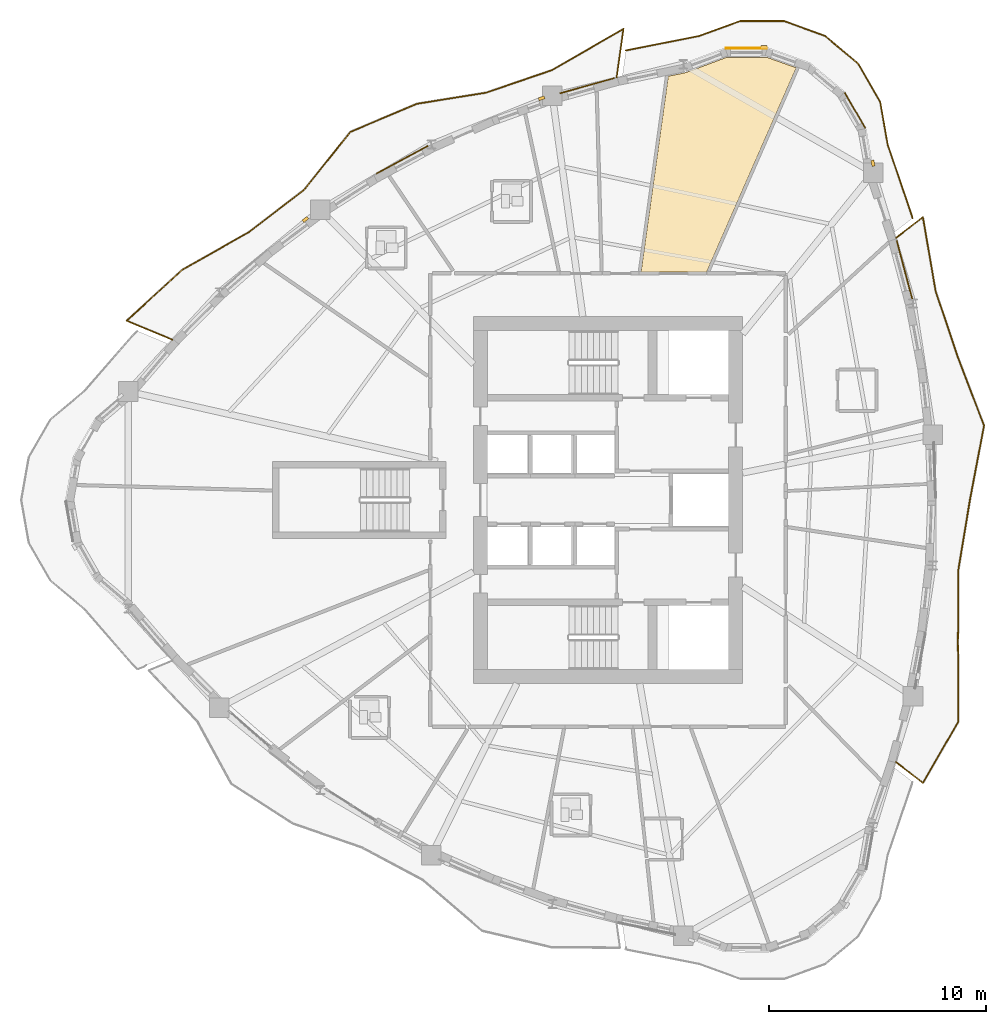
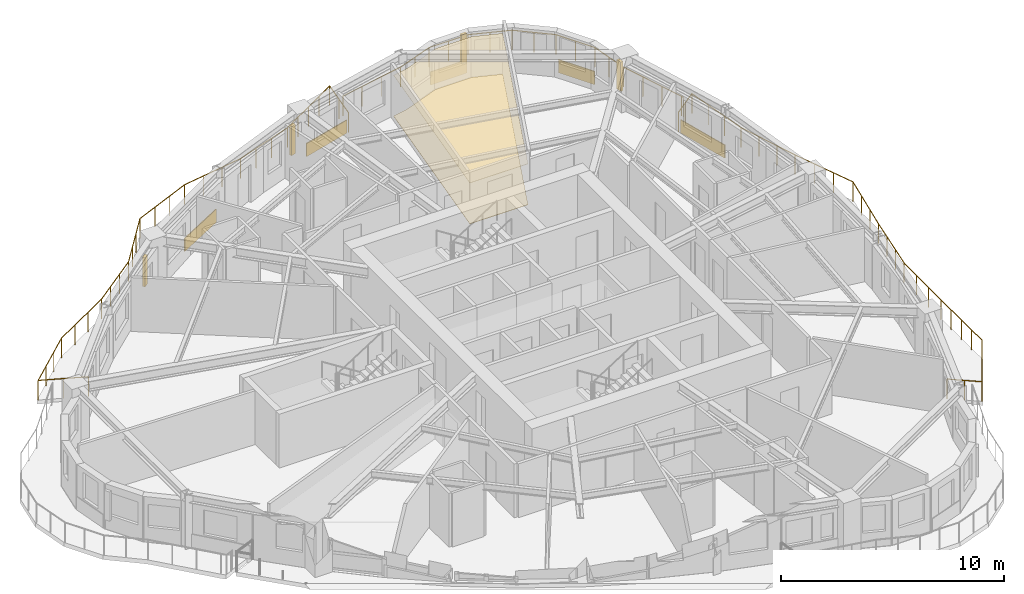
# One storey, part 14 of 15: 7 coverings, 4 shading devices, 3 railings.
"""IFC4 building model written with IfcOpenShell, lengths in metres."""

from ifc_helpers import new_model, si_unit, direction, frame, origin, origin_2d, place, context, subcontext, project, spatial, polyline, rectangle, circle, outline, extrude, source, transform, mapped, material, layer, layer_set, type_object, element, save


model = new_model("IFC4")

# Units and contexts
model_context = context("Model", 3, precision=1e-05, world=origin(), true_north=direction((0.0, 1.0)))
body_context = subcontext(model_context, "Body", "Model", "MODEL_VIEW")
ifc_project = project(units=[si_unit("LENGTHUNIT", "METRE"), si_unit("AREAUNIT", "SQUARE_METRE"), si_unit("VOLUMEUNIT", "CUBIC_METRE"), si_unit("PLANEANGLEUNIT", "RADIAN"), si_unit("MASSUNIT", "GRAM", prefix="KILO")], contexts=[model_context])

# Site, building, storey
site_placement = place(None, origin())
site = spatial("IfcSite", under=ifc_project, at=site_placement, CompositionType="ELEMENT")
building_placement = place(site_placement, origin())
building = spatial("IfcBuilding", under=site, at=building_placement, Name="Qafzar Sky-Pleat Residences", CompositionType="ELEMENT")
storey_placement = place(building_placement, frame((0.0, 0.0, 70.39990234375)))
storey = spatial("IfcBuildingStorey", under=building, at=storey_placement, Name="L20", CompositionType="ELEMENT", Elevation=70.39990234375)

# Coverings
ifc_material_1 = material(Name="Perforated acoustic gypsum board ceiling")
ifc_layer_1 = layer(ifc_material_1, 0.02001953125)
ifc_layer_set_1 = layer_set([ifc_layer_1], Name="Perforated acoustic gypsum board ceiling")
covering_type_1 = type_object("IfcCoveringType", Name="COV-CEIL-ACOUSTIC", PredefinedType="CEILING", material=ifc_layer_set_1)
covering_1_placement = place(storey_placement, frame((0.0, 0.0, 2.239990234375)))
element("IfcCovering", 1, at=covering_1_placement, inside=storey, type_object=covering_type_1, Name="L20 Co-Living Lounge Acoustic Ceiling", PredefinedType="CEILING", context=body_context, shape_type="SweptSolid", body=[
    extrude(outline(polyline([(33.925537109375, 45.677734375), (35.783203125, 46.371337890625), (37.66455078125, 46.38427734375), (39.015380859375, 45.900634765625), (34.88671875, 36.489990234375), (31.869140625, 36.489990234375), (33.123779296875, 45.5126953125), (33.925537109375, 45.677734375)])), origin(), (0.0, 0.0, 1.0), 0.02001953125),
])
ifc_material_2 = material(Name="Honed porcelain and Riyadh stone tile flooring", Category="masonry")
ifc_layer_2 = layer(ifc_material_2, 0.02001953125)
ifc_layer_set_2 = layer_set([ifc_layer_2], Name="Honed porcelain and Riyadh stone tile flooring")
covering_type_2 = type_object("IfcCoveringType", Name="COV-FLR-PORCELAIN", PredefinedType="FLOORING", material=ifc_layer_set_2)
covering_2_placement = place(storey_placement, origin())
element("IfcCovering", 2, at=covering_2_placement, inside=storey, type_object=covering_type_2, Name="L20 Co-Living Lounge Honed Stone Flooring", PredefinedType="FLOORING", context=body_context, shape_type="SweptSolid", body=[
    extrude(outline(polyline([(33.925537109375, 45.677734375), (35.783203125, 46.371337890625), (37.66455078125, 46.38427734375), (39.015380859375, 45.900634765625), (34.88671875, 36.489990234375), (31.869140625, 36.489990234375), (33.123779296875, 45.5126953125), (33.925537109375, 45.677734375)])), origin(), (0.0, 0.0, 1.0), 0.02001953125),
])

# Shading devices
ifc_material_3 = material(Name="Honed Riyadh limestone solar fin", Category="masonry")
ifc_layer_3 = layer(ifc_material_3, 0.139892578125)
ifc_layer_set_3 = layer_set([ifc_layer_3], Name="Honed Riyadh limestone solar fin")
shading_device_type = type_object("IfcShadingDeviceType", Name="SHD-FIN-STONE", PredefinedType="SHUTTER", material=ifc_layer_set_3)
shared_shape_1 = source(origin(), body_context, "Body", "SweptSolid", [
    extrude(rectangle(XDim=0.139892578125, YDim=0.280029296875, at=origin_2d()), origin(), (0.0, 0.0, 1.0), 1.60009765625),
])
for number, where, z_axis, x_axis, name in (
    (3, (42.54833984375, 41.50439453125, 0.60009765625), (0.0, 0.0, 1.0), (0.984675881773, 0.174394403163, 0.0), "L20 Limestone Solar Fin 33"),
    (4, (37.525634765625, 46.848388671875, 0.60009765625), (0.0, 0.0, 1.0), (-0.006821730637, 0.999976731725, 0.0), "L20 Limestone Solar Fin 37"),
    (5, (27.291015625, 44.494873046875, 0.60009765625), (0.0, 0.0, 1.0), (-0.338106168567, 0.941107974027, 0.0), "L20 Limestone Solar Fin 41"),
    (6, (16.415771484375, 38.91552734375, 0.60009765625), (0.0, 0.0, 1.0), (-0.602146421463, 0.798385675672, 0.0), "L20 Limestone Solar Fin 45"),
):
    element("IfcShadingDevice", number, at=place(storey_placement, frame(where, z_axis=z_axis, x_axis=x_axis)), inside=storey, type_object=shading_device_type, Name=name, PredefinedType="SHUTTER", context=body_context, shape_type="MappedRepresentation", body=[
        mapped(shared_shape_1, transform((0.0, 0.0, 0.0), x_axis=(1.0, 0.0, 0.0), y_axis=(0.0, 1.0, 0.0), z_axis=(0.0, 0.0, 1.0), scale=1.0)),
    ])

# Railings
ifc_material_4 = material(Name="Laminated glass and bronze steel balustrade", Category="steel")
railing_type = type_object("IfcRailingType", Name="RAIL-BAL-1100", PredefinedType="BALUSTRADE", material=ifc_material_4)
shared_shape_2 = source(origin(), body_context, "Body", "SweptSolid", [
    extrude(circle(Radius=0.02392578125, at=origin_2d()), frame((0.0, 0.0, 1.076171875), z_axis=(0.791131848435, -0.611645647734, 0.0), x_axis=(0.611645647734, 0.791131848435, 0.0)), (0.0, 0.0, 1.0), 1.577880859375),
    extrude(circle(Radius=0.02392578125, at=origin_2d()), frame((1.248291015625, -0.965087890625, 1.076171875), z_axis=(0.500441754194, 0.865770206614, 0.0), x_axis=(-0.865770206614, 0.500441754194, 0.0)), (0.0, 0.0, 1.0), 3.2705078125),
    extrude(circle(Radius=0.02392578125, at=origin_2d()), frame((2.885009765625, 1.866455078125, 1.076171875), z_axis=(-0.006110959696, 0.999981327911, 0.0), x_axis=(-0.999981327911, -0.006110959696, 0.0)), (0.0, 0.0, 1.0), 3.635498046875),
    extrude(circle(Radius=0.02392578125, at=origin_2d()), frame((2.86279296875, 5.501953125, 1.076171875), z_axis=(0.005333841997, 0.999985774964, 0.0), x_axis=(-0.999985774964, 0.005333841997, 0.0)), (0.0, 0.0, 1.0), 3.34130859375),
    extrude(circle(Radius=0.02392578125, at=origin_2d()), frame((2.880615234375, 8.84326171875, 1.076171875), z_axis=(0.163124173712, 0.98660554628, 0.0), x_axis=(-0.98660554628, 0.163124173712, 0.0)), (0.0, 0.0, 1.0), 3.26123046875),
    extrude(circle(Radius=0.02392578125, at=origin_2d()), frame((3.41259765625, 12.060791015625, 1.076171875), z_axis=(0.186580850105, 0.98243960953, 0.0), x_axis=(-0.98243960953, 0.186580850105, 0.0)), (0.0, 0.0, 1.0), 3.484619140625),
    extrude(circle(Radius=0.02392578125, at=origin_2d()), frame((4.062744140625, 15.484130859375, 1.076171875), z_axis=(-0.357419219766, 0.933944056859, 0.0), x_axis=(-0.933944056859, -0.357419219766, 0.0)), (0.0, 0.0, 1.0), 3.357177734375),
    extrude(circle(Radius=0.02392578125, at=origin_2d()), frame((2.86279296875, 18.61962890625, 1.076171875), z_axis=(-0.319065686008, 0.947732603645, 0.0), x_axis=(-0.947732603645, -0.319065686008, 0.0)), (0.0, 0.0, 1.0), 3.224365234375),
    extrude(circle(Radius=0.02392578125, at=origin_2d()), frame((1.833984375, 21.675537109375, 1.076171875), z_axis=(-0.16922420673, 0.985577580841, 0.0), x_axis=(-0.985577580841, -0.16922420673, 0.0)), (0.0, 0.0, 1.0), 3.4609375),
    extrude(circle(Radius=0.02392578125, at=origin_2d()), frame((1.248291015625, 25.086669921875, 1.076171875), z_axis=(-0.791131848435, -0.611645647734, 0.0), x_axis=(0.611645647734, -0.791131848435, 0.0)), (0.0, 0.0, 1.0), 1.577880859375),
    extrude(circle(Radius=0.02099609375, at=origin_2d()), origin(), (0.0, 0.0, 1.0), 1.052001953125),
    extrude(circle(Radius=0.02099609375, at=origin_2d()), frame((0.6240234375, -0.482421875, 0.0)), (0.0, 0.0, 1.0), 1.052001953125),
    extrude(circle(Radius=0.02099609375, at=origin_2d()), frame((1.248291015625, -0.965087890625, 0.0)), (0.0, 0.0, 1.0), 1.052001953125),
    extrude(circle(Radius=0.02099609375, at=origin_2d()), frame((1.7939453125, -0.021240234375, 0.0)), (0.0, 0.0, 1.0), 1.052001953125),
    extrude(circle(Radius=0.02099609375, at=origin_2d()), frame((2.33935546875, 0.922607421875, 0.0)), (0.0, 0.0, 1.0), 1.052001953125),
    extrude(circle(Radius=0.02099609375, at=origin_2d()), frame((2.885009765625, 1.866455078125, 0.0)), (0.0, 0.0, 1.0), 1.052001953125),
    extrude(circle(Radius=0.02099609375, at=origin_2d()), frame((2.87939453125, 2.775390625, 0.0)), (0.0, 0.0, 1.0), 1.052001953125),
    extrude(circle(Radius=0.02099609375, at=origin_2d()), frame((2.8740234375, 3.68408203125, 0.0)), (0.0, 0.0, 1.0), 1.052001953125),
    extrude(circle(Radius=0.02099609375, at=origin_2d()), frame((2.868408203125, 4.593017578125, 0.0)), (0.0, 0.0, 1.0), 1.052001953125),
    extrude(circle(Radius=0.02099609375, at=origin_2d()), frame((2.86279296875, 5.501953125, 0.0)), (0.0, 0.0, 1.0), 1.052001953125),
    extrude(circle(Radius=0.02099609375, at=origin_2d()), frame((2.86865234375, 6.61572265625, 0.0)), (0.0, 0.0, 1.0), 1.052001953125),
    extrude(circle(Radius=0.02099609375, at=origin_2d()), frame((2.874755859375, 7.7294921875, 0.0)), (0.0, 0.0, 1.0), 1.052001953125),
    extrude(circle(Radius=0.02099609375, at=origin_2d()), frame((2.880615234375, 8.84326171875, 0.0)), (0.0, 0.0, 1.0), 1.052001953125),
    extrude(circle(Radius=0.02099609375, at=origin_2d()), frame((3.057861328125, 9.915771484375, 0.0)), (0.0, 0.0, 1.0), 1.052001953125),
    extrude(circle(Radius=0.02099609375, at=origin_2d()), frame((3.2353515625, 10.98828125, 0.0)), (0.0, 0.0, 1.0), 1.052001953125),
    extrude(circle(Radius=0.02099609375, at=origin_2d()), frame((3.41259765625, 12.060791015625, 0.0)), (0.0, 0.0, 1.0), 1.052001953125),
    extrude(circle(Radius=0.02099609375, at=origin_2d()), frame((3.62939453125, 13.201904296875, 0.0)), (0.0, 0.0, 1.0), 1.052001953125),
    extrude(circle(Radius=0.02099609375, at=origin_2d()), frame((3.845947265625, 14.343017578125, 0.0)), (0.0, 0.0, 1.0), 1.052001953125),
    extrude(circle(Radius=0.02099609375, at=origin_2d()), frame((4.062744140625, 15.484130859375, 0.0)), (0.0, 0.0, 1.0), 1.052001953125),
    extrude(circle(Radius=0.02099609375, at=origin_2d()), frame((3.662841796875, 16.529296875, 0.0)), (0.0, 0.0, 1.0), 1.052001953125),
    extrude(circle(Radius=0.02099609375, at=origin_2d()), frame((3.2626953125, 17.574462890625, 0.0)), (0.0, 0.0, 1.0), 1.052001953125),
    extrude(circle(Radius=0.02099609375, at=origin_2d()), frame((2.86279296875, 18.61962890625, 0.0)), (0.0, 0.0, 1.0), 1.052001953125),
    extrude(circle(Radius=0.02099609375, at=origin_2d()), frame((2.519775390625, 19.63818359375, 0.0)), (0.0, 0.0, 1.0), 1.052001953125),
    extrude(circle(Radius=0.02099609375, at=origin_2d()), frame((2.177001953125, 20.656982421875, 0.0)), (0.0, 0.0, 1.0), 1.052001953125),
    extrude(circle(Radius=0.02099609375, at=origin_2d()), frame((1.833984375, 21.675537109375, 0.0)), (0.0, 0.0, 1.0), 1.052001953125),
    extrude(circle(Radius=0.02099609375, at=origin_2d()), frame((1.638671875, 22.8125, 0.0)), (0.0, 0.0, 1.0), 1.052001953125),
    extrude(circle(Radius=0.02099609375, at=origin_2d()), frame((1.443603515625, 23.94970703125, 0.0)), (0.0, 0.0, 1.0), 1.052001953125),
    extrude(circle(Radius=0.02099609375, at=origin_2d()), frame((1.248291015625, 25.086669921875, 0.0)), (0.0, 0.0, 1.0), 1.052001953125),
    extrude(circle(Radius=0.02099609375, at=origin_2d()), frame((0.6240234375, 24.60400390625, 0.0)), (0.0, 0.0, 1.0), 1.052001953125),
    extrude(circle(Radius=0.02099609375, at=origin_2d()), frame((0.0, 24.12158203125, 0.0)), (0.0, 0.0, 1.0), 1.052001953125),
])
railing_1_placement = place(storey_placement, frame((43.60009765625, 13.939208984375, 0.0)))
element("IfcRailing", 7, at=railing_1_placement, inside=storey, type_object=railing_type, Name="L20 Pleated Balcony 1 Balustrade", PredefinedType="BALUSTRADE", context=body_context, shape_type="MappedRepresentation", body=[
    mapped(shared_shape_2, transform((0.0, 0.0, 0.0), x_axis=(1.0, 0.0, 0.0), y_axis=(0.0, 1.0, 0.0), z_axis=(0.0, 0.0, 1.0), scale=1.0)),
])
shared_shape_3 = source(origin(), body_context, "Body", "SweptSolid", [
    extrude(circle(Radius=0.02392578125, at=origin_2d()), frame((0.0, 0.0, 1.076171875), z_axis=(0.139765475122, 0.99018463529, 0.0), x_axis=(-0.99018463529, 0.139765475122, 0.0)), (0.0, 0.0, 1.0), 2.270751953125),
    extrude(circle(Radius=0.02392578125, at=origin_2d()), frame((0.3173828125, 2.24853515625, 1.076171875), z_axis=(-0.866210203027, -0.499679781632, 0.0), x_axis=(0.499679781632, -0.866210203027, 0.0)), (0.0, 0.0, 1.0), 3.79736328125),
    extrude(circle(Radius=0.02392578125, at=origin_2d()), frame((-2.971923828125, 0.35107421875, 1.076171875), z_axis=(-0.94604605287, -0.324032198785, 0.0), x_axis=(0.324032198785, -0.94604605287, 0.0)), (0.0, 0.0, 1.0), 3.205078125),
    extrude(circle(Radius=0.02392578125, at=origin_2d()), frame((-6.004150390625, -0.6875, 1.076171875), z_axis=(-0.987375407196, -0.15839761761, 0.0), x_axis=(0.15839761761, -0.987375407196, 0.0)), (0.0, 0.0, 1.0), 3.2275390625),
    extrude(circle(Radius=0.02392578125, at=origin_2d()), frame((-9.19091796875, -1.19873046875, 1.076171875), z_axis=(-0.9212553998, -0.388958208988, 0.0), x_axis=(0.388958208988, -0.9212553998, 0.0)), (0.0, 0.0, 1.0), 3.329833984375),
    extrude(circle(Radius=0.02392578125, at=origin_2d()), frame((-12.258544921875, -2.493896484375, 1.076171875), z_axis=(-0.623963443988, -0.781453530651, 0.0), x_axis=(0.781453530651, -0.623963443988, 0.0)), (0.0, 0.0, 1.0), 3.419677734375),
    extrude(circle(Radius=0.02392578125, at=origin_2d()), frame((-14.392333984375, -5.166259765625, 1.076171875), z_axis=(-0.793631020152, -0.608399378576, 0.0), x_axis=(0.608399378576, -0.793631020152, 0.0)), (0.0, 0.0, 1.0), 3.18701171875),
    extrude(circle(Radius=0.02392578125, at=origin_2d()), frame((-16.921630859375, -7.105224609375, 1.076171875), z_axis=(-0.870867386328, -0.491518051988, 0.0), x_axis=(0.491518051988, -0.870867386328, 0.0)), (0.0, 0.0, 1.0), 3.521728515625),
    extrude(circle(Radius=0.02392578125, at=origin_2d()), frame((-19.988525390625, -8.836181640625, 1.076171875), z_axis=(-0.73749173285, -0.675356160835, 0.0), x_axis=(0.675356160835, -0.73749173285, 0.0)), (0.0, 0.0, 1.0), 3.481201171875),
    extrude(circle(Radius=0.02392578125, at=origin_2d()), frame((-22.555908203125, -11.187255859375, 1.076171875), z_axis=(0.923057837801, -0.384661186076, 0.0), x_axis=(0.384661186076, 0.923057837801, 0.0)), (0.0, 0.0, 1.0), 2.27099609375),
    extrude(circle(Radius=0.02099609375, at=origin_2d()), origin(), (0.0, 0.0, 1.0), 1.052001953125),
    extrude(circle(Radius=0.02099609375, at=origin_2d()), frame((0.15869140625, 1.124267578125, 0.0)), (0.0, 0.0, 1.0), 1.052001953125),
    extrude(circle(Radius=0.02099609375, at=origin_2d()), frame((0.3173828125, 2.24853515625, 0.0)), (0.0, 0.0, 1.0), 1.052001953125),
    extrude(circle(Radius=0.02099609375, at=origin_2d()), frame((-0.5048828125, 1.774169921875, 0.0)), (0.0, 0.0, 1.0), 1.052001953125),
    extrude(circle(Radius=0.02099609375, at=origin_2d()), frame((-1.3271484375, 1.2998046875, 0.0)), (0.0, 0.0, 1.0), 1.052001953125),
    extrude(circle(Radius=0.02099609375, at=origin_2d()), frame((-2.149658203125, 0.825439453125, 0.0)), (0.0, 0.0, 1.0), 1.052001953125),
    extrude(circle(Radius=0.02099609375, at=origin_2d()), frame((-2.971923828125, 0.35107421875, 0.0)), (0.0, 0.0, 1.0), 1.052001953125),
    extrude(circle(Radius=0.02099609375, at=origin_2d()), frame((-3.982666015625, 0.0048828125, 0.0)), (0.0, 0.0, 1.0), 1.052001953125),
    extrude(circle(Radius=0.02099609375, at=origin_2d()), frame((-4.993408203125, -0.34130859375, 0.0)), (0.0, 0.0, 1.0), 1.052001953125),
    extrude(circle(Radius=0.02099609375, at=origin_2d()), frame((-6.004150390625, -0.6875, 0.0)), (0.0, 0.0, 1.0), 1.052001953125),
    extrude(circle(Radius=0.02099609375, at=origin_2d()), frame((-7.06640625, -0.85791015625, 0.0)), (0.0, 0.0, 1.0), 1.052001953125),
    extrude(circle(Radius=0.02099609375, at=origin_2d()), frame((-8.128662109375, -1.0283203125, 0.0)), (0.0, 0.0, 1.0), 1.052001953125),
    extrude(circle(Radius=0.02099609375, at=origin_2d()), frame((-9.19091796875, -1.19873046875, 0.0)), (0.0, 0.0, 1.0), 1.052001953125),
    extrude(circle(Radius=0.02099609375, at=origin_2d()), frame((-10.21337890625, -1.63037109375, 0.0)), (0.0, 0.0, 1.0), 1.052001953125),
    extrude(circle(Radius=0.02099609375, at=origin_2d()), frame((-11.236083984375, -2.062255859375, 0.0)), (0.0, 0.0, 1.0), 1.052001953125),
    extrude(circle(Radius=0.02099609375, at=origin_2d()), frame((-12.258544921875, -2.493896484375, 0.0)), (0.0, 0.0, 1.0), 1.052001953125),
    extrude(circle(Radius=0.02099609375, at=origin_2d()), frame((-12.9697265625, -3.384765625, 0.0)), (0.0, 0.0, 1.0), 1.052001953125),
    extrude(circle(Radius=0.02099609375, at=origin_2d()), frame((-13.68115234375, -4.275390625, 0.0)), (0.0, 0.0, 1.0), 1.052001953125),
    extrude(circle(Radius=0.02099609375, at=origin_2d()), frame((-14.392333984375, -5.166259765625, 0.0)), (0.0, 0.0, 1.0), 1.052001953125),
    extrude(circle(Radius=0.02099609375, at=origin_2d()), frame((-15.2353515625, -5.8125, 0.0)), (0.0, 0.0, 1.0), 1.052001953125),
    extrude(circle(Radius=0.02099609375, at=origin_2d()), frame((-16.07861328125, -6.458984375, 0.0)), (0.0, 0.0, 1.0), 1.052001953125),
    extrude(circle(Radius=0.02099609375, at=origin_2d()), frame((-16.921630859375, -7.105224609375, 0.0)), (0.0, 0.0, 1.0), 1.052001953125),
    extrude(circle(Radius=0.02099609375, at=origin_2d()), frame((-17.94384765625, -7.68212890625, 0.0)), (0.0, 0.0, 1.0), 1.052001953125),
    extrude(circle(Radius=0.02099609375, at=origin_2d()), frame((-18.96630859375, -8.25927734375, 0.0)), (0.0, 0.0, 1.0), 1.052001953125),
    extrude(circle(Radius=0.02099609375, at=origin_2d()), frame((-19.988525390625, -8.836181640625, 0.0)), (0.0, 0.0, 1.0), 1.052001953125),
    extrude(circle(Radius=0.02099609375, at=origin_2d()), frame((-20.84423828125, -9.619873046875, 0.0)), (0.0, 0.0, 1.0), 1.052001953125),
    extrude(circle(Radius=0.02099609375, at=origin_2d()), frame((-21.7001953125, -10.403564453125, 0.0)), (0.0, 0.0, 1.0), 1.052001953125),
    extrude(circle(Radius=0.02099609375, at=origin_2d()), frame((-22.555908203125, -11.187255859375, 0.0)), (0.0, 0.0, 1.0), 1.052001953125),
    extrude(circle(Radius=0.02099609375, at=origin_2d()), frame((-21.5078125, -11.6240234375, 0.0)), (0.0, 0.0, 1.0), 1.052001953125),
    extrude(circle(Radius=0.02099609375, at=origin_2d()), frame((-20.459716796875, -12.060791015625, 0.0)), (0.0, 0.0, 1.0), 1.052001953125),
])
railing_2_placement = place(storey_placement, frame((30.7451171875, 45.442626953125, 0.0)))
element("IfcRailing", 8, at=railing_2_placement, inside=storey, type_object=railing_type, Name="L20 Pleated Balcony 2 Balustrade", PredefinedType="BALUSTRADE", context=body_context, shape_type="MappedRepresentation", body=[
    mapped(shared_shape_3, transform((0.0, 0.0, 0.0), x_axis=(1.0, 0.0, 0.0), y_axis=(0.0, 1.0, 0.0), z_axis=(0.0, 0.0, 1.0), scale=1.0)),
])
shared_shape_4 = source(origin(), body_context, "Body", "SweptSolid", [
    extrude(circle(Radius=0.02392578125, at=origin_2d()), frame((0.0, 0.0, 1.076171875), z_axis=(0.981063733755, 0.193685183506, 0.0), x_axis=(-0.193685183506, 0.981063733755, 0.0)), (0.0, 0.0, 1.0), 3.438720703125),
    extrude(circle(Radius=0.02392578125, at=origin_2d()), frame((3.37353515625, 0.666015625, 1.076171875), z_axis=(0.939346149003, 0.342970570682, 0.0), x_axis=(-0.342970570682, 0.939346149003, 0.0)), (0.0, 0.0, 1.0), 2.01171875),
    extrude(circle(Radius=0.02392578125, at=origin_2d()), frame((5.26318359375, 1.35595703125, 1.076171875), z_axis=(0.999999734637, 0.000728508792, 0.0), x_axis=(-0.000728508792, 0.999999734637, 0.0)), (0.0, 0.0, 1.0), 2.0107421875),
    extrude(circle(Radius=0.02392578125, at=origin_2d()), frame((7.27392578125, 1.357421875, 1.076171875), z_axis=(0.939786331268, -0.341762566062, 0.0), x_axis=(0.341762566062, 0.939786331268, 0.0)), (0.0, 0.0, 1.0), 2.01025390625),
    extrude(circle(Radius=0.02392578125, at=origin_2d()), frame((9.1630859375, 0.67041015625, 1.076171875), z_axis=(0.765936876921, -0.642915780311, 0.0), x_axis=(0.642915780311, 0.765936876921, 0.0)), (0.0, 0.0, 1.0), 2.01025390625),
    extrude(circle(Radius=0.02392578125, at=origin_2d()), frame((10.702880859375, -0.6220703125, 1.076171875), z_axis=(0.499273905259, -0.866444209126, 0.0), x_axis=(0.866444209126, 0.499273905259, 0.0)), (0.0, 0.0, 1.0), 2.0107421875),
    extrude(circle(Radius=0.02392578125, at=origin_2d()), frame((11.706787109375, -2.3642578125, 1.076171875), z_axis=(0.172677621819, -0.984978395155, 0.0), x_axis=(0.984978395155, 0.172677621819, 0.0)), (0.0, 0.0, 1.0), 2.011962890625),
    extrude(circle(Radius=0.02392578125, at=origin_2d()), frame((12.05419921875, -4.345947265625, 1.076171875), z_axis=(0.322765940359, -0.946478815264, 0.0), x_axis=(0.946478815264, 0.322765940359, 0.0)), (0.0, 0.0, 1.0), 3.45751953125),
    extrude(circle(Radius=0.02392578125, at=origin_2d()), frame((13.170166015625, -7.618408203125, 1.076171875), z_axis=(0.256013881747, -0.966673105218, 0.0), x_axis=(0.966673105218, 0.256013881747, 0.0)), (0.0, 0.0, 1.0), 0.110595703125),
    extrude(circle(Radius=0.02099609375, at=origin_2d()), origin(), (0.0, 0.0, 1.0), 1.052001953125),
    extrude(circle(Radius=0.02099609375, at=origin_2d()), frame((1.12451171875, 0.221923828125, 0.0)), (0.0, 0.0, 1.0), 1.052001953125),
    extrude(circle(Radius=0.02099609375, at=origin_2d()), frame((2.2490234375, 0.444091796875, 0.0)), (0.0, 0.0, 1.0), 1.052001953125),
    extrude(circle(Radius=0.02099609375, at=origin_2d()), frame((3.37353515625, 0.666015625, 0.0)), (0.0, 0.0, 1.0), 1.052001953125),
    extrude(circle(Radius=0.02099609375, at=origin_2d()), frame((4.318359375, 1.010986328125, 0.0)), (0.0, 0.0, 1.0), 1.052001953125),
    extrude(circle(Radius=0.02099609375, at=origin_2d()), frame((5.26318359375, 1.35595703125, 0.0)), (0.0, 0.0, 1.0), 1.052001953125),
    extrude(circle(Radius=0.02099609375, at=origin_2d()), frame((6.2685546875, 1.356689453125, 0.0)), (0.0, 0.0, 1.0), 1.052001953125),
    extrude(circle(Radius=0.02099609375, at=origin_2d()), frame((7.27392578125, 1.357421875, 0.0)), (0.0, 0.0, 1.0), 1.052001953125),
    extrude(circle(Radius=0.02099609375, at=origin_2d()), frame((8.218505859375, 1.013916015625, 0.0)), (0.0, 0.0, 1.0), 1.052001953125),
    extrude(circle(Radius=0.02099609375, at=origin_2d()), frame((9.1630859375, 0.67041015625, 0.0)), (0.0, 0.0, 1.0), 1.052001953125),
    extrude(circle(Radius=0.02099609375, at=origin_2d()), frame((9.93310546875, 0.024169921875, 0.0)), (0.0, 0.0, 1.0), 1.052001953125),
    extrude(circle(Radius=0.02099609375, at=origin_2d()), frame((10.702880859375, -0.6220703125, 0.0)), (0.0, 0.0, 1.0), 1.052001953125),
    extrude(circle(Radius=0.02099609375, at=origin_2d()), frame((11.204833984375, -1.4931640625, 0.0)), (0.0, 0.0, 1.0), 1.052001953125),
    extrude(circle(Radius=0.02099609375, at=origin_2d()), frame((11.706787109375, -2.3642578125, 0.0)), (0.0, 0.0, 1.0), 1.052001953125),
    extrude(circle(Radius=0.02099609375, at=origin_2d()), frame((11.88037109375, -3.35498046875, 0.0)), (0.0, 0.0, 1.0), 1.052001953125),
    extrude(circle(Radius=0.02099609375, at=origin_2d()), frame((12.05419921875, -4.345947265625, 0.0)), (0.0, 0.0, 1.0), 1.052001953125),
    extrude(circle(Radius=0.02099609375, at=origin_2d()), frame((12.42626953125, -5.436767578125, 0.0)), (0.0, 0.0, 1.0), 1.052001953125),
    extrude(circle(Radius=0.02099609375, at=origin_2d()), frame((12.798095703125, -6.527587890625, 0.0)), (0.0, 0.0, 1.0), 1.052001953125),
    extrude(circle(Radius=0.02099609375, at=origin_2d()), frame((13.170166015625, -7.618408203125, 0.0)), (0.0, 0.0, 1.0), 1.052001953125),
    extrude(circle(Radius=0.02099609375, at=origin_2d()), frame((13.198486328125, -7.725341796875, 0.0)), (0.0, 0.0, 1.0), 1.052001953125),
])
railing_3_placement = place(storey_placement, frame((31.17431640625, 46.69873046875, 0.0)))
element("IfcRailing", 9, at=railing_3_placement, inside=storey, type_object=railing_type, Name="L20 Corner Terrace 2 Balustrade", PredefinedType="BALUSTRADE", context=body_context, shape_type="MappedRepresentation", body=[
    mapped(shared_shape_4, transform((0.0, 0.0, 0.0), x_axis=(1.0, 0.0, 0.0), y_axis=(0.0, 1.0, 0.0), z_axis=(0.0, 0.0, 1.0), scale=1.0)),
])

# Coverings
ifc_material_5 = material(Name="Honed Riyadh Tuwaiq limestone cladding", Category="masonry")
ifc_layer_4 = layer(ifc_material_5, 0.044921875)
ifc_layer_set_4 = layer_set([ifc_layer_4], Name="Honed Riyadh Tuwaiq limestone cladding")
covering_type_3 = type_object("IfcCoveringType", Name="COV-CLAD-STONE", PredefinedType="CLADDING", material=ifc_layer_set_4)
shared_shape_5 = source(origin(), body_context, "Body", "SweptSolid", [
    extrude(rectangle(XDim=1.88916015625, YDim=0.044921875, at=origin_2d()), origin(), (0.0, 0.0, 1.0), 0.719970703125),
])
covering_3_placement = place(storey_placement, frame((36.720947265625, 46.7998046875, 0.02001953125), z_axis=(0.0, 0.0, 1.0), x_axis=(-0.999976465978, -0.006860575119, 0.0)))
element("IfcCovering", 10, at=covering_3_placement, inside=storey, type_object=covering_type_3, Name="L20 Riyadh Limestone Spandrel Cladding 37", PredefinedType="CLADDING", context=body_context, shape_type="MappedRepresentation", body=[
    mapped(shared_shape_5, transform((0.0, 0.0, 0.0), x_axis=(1.0, 0.0, 0.0), y_axis=(0.0, 1.0, 0.0), z_axis=(0.0, 0.0, 1.0), scale=1.0)),
])
shared_shape_6 = source(origin(), body_context, "Body", "SweptSolid", [
    extrude(rectangle(XDim=2.822509765625, YDim=0.044921875, at=origin_2d()), origin(), (0.0, 0.0, 1.0), 0.719970703125),
])
covering_4_placement = place(storey_placement, frame((44.005126953125, 36.580322265625, 0.02001953125), z_axis=(0.0, 0.0, 1.0), x_axis=(-0.257033474852, 0.966402500413, 0.0)))
element("IfcCovering", 11, at=covering_4_placement, inside=storey, type_object=covering_type_3, Name="L20 Riyadh Limestone Spandrel Cladding 31", PredefinedType="CLADDING", context=body_context, shape_type="MappedRepresentation", body=[
    mapped(shared_shape_6, transform((0.0, 0.0, 0.0), x_axis=(1.0, 0.0, 0.0), y_axis=(0.0, 1.0, 0.0), z_axis=(0.0, 0.0, 1.0), scale=1.0)),
])
shared_shape_7 = source(origin(), body_context, "Body", "SweptSolid", [
    extrude(rectangle(XDim=1.888916015625, YDim=0.044921875, at=origin_2d()), origin(), (0.0, 0.0, 1.0), 0.719970703125),
])
covering_5_placement = place(storey_placement, frame((41.718505859375, 43.944580078125, 0.02001953125), z_axis=(0.0, 0.0, 1.0), x_axis=(-0.501941253562, 0.864901715788, 0.0)))
element("IfcCovering", 12, at=covering_5_placement, inside=storey, type_object=covering_type_3, Name="L20 Riyadh Limestone Spandrel Cladding 34", PredefinedType="CLADDING", context=body_context, shape_type="MappedRepresentation", body=[
    mapped(shared_shape_7, transform((0.0, 0.0, 0.0), x_axis=(1.0, 0.0, 0.0), y_axis=(0.0, 1.0, 0.0), z_axis=(0.0, 0.0, 1.0), scale=1.0)),
])
shared_shape_8 = source(origin(), body_context, "Body", "SweptSolid", [
    extrude(rectangle(XDim=2.5947265625, YDim=0.044921875, at=origin_2d()), origin(), (0.0, 0.0, 1.0), 0.719970703125),
])
covering_6_placement = place(storey_placement, frame((29.3857421875, 45.073974609375, 0.02001953125), z_axis=(0.0, 0.0, 1.0), x_axis=(-0.963055825024, -0.269301834169, 0.0)))
element("IfcCovering", 13, at=covering_6_placement, inside=storey, type_object=covering_type_3, Name="L20 Riyadh Limestone Spandrel Cladding 40", PredefinedType="CLADDING", context=body_context, shape_type="MappedRepresentation", body=[
    mapped(shared_shape_8, transform((0.0, 0.0, 0.0), x_axis=(1.0, 0.0, 0.0), y_axis=(0.0, 1.0, 0.0), z_axis=(0.0, 0.0, 1.0), scale=1.0)),
])
shared_shape_9 = source(origin(), body_context, "Body", "SweptSolid", [
    extrude(rectangle(XDim=2.688232421875, YDim=0.044921875, at=origin_2d()), origin(), (0.0, 0.0, 1.0), 0.719970703125),
])
covering_7_placement = place(storey_placement, frame((20.87451171875, 41.668212890625, 0.02001953125), z_axis=(0.0, 0.0, 1.0), x_axis=(-0.880123649841, -0.474744521812, 0.0)))
element("IfcCovering", 14, at=covering_7_placement, inside=storey, type_object=covering_type_3, Name="L20 Riyadh Limestone Spandrel Cladding 43", PredefinedType="CLADDING", context=body_context, shape_type="MappedRepresentation", body=[
    mapped(shared_shape_9, transform((0.0, 0.0, 0.0), x_axis=(1.0, 0.0, 0.0), y_axis=(0.0, 1.0, 0.0), z_axis=(0.0, 0.0, 1.0), scale=1.0)),
])

save(model, "model.ifc")
